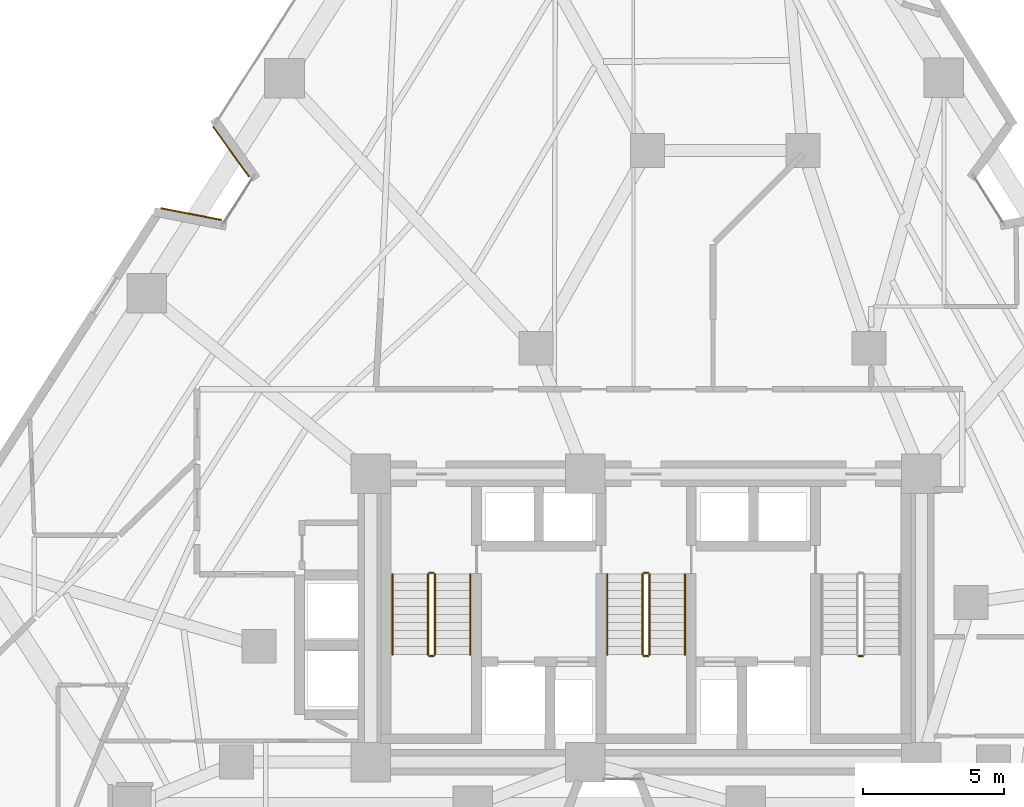
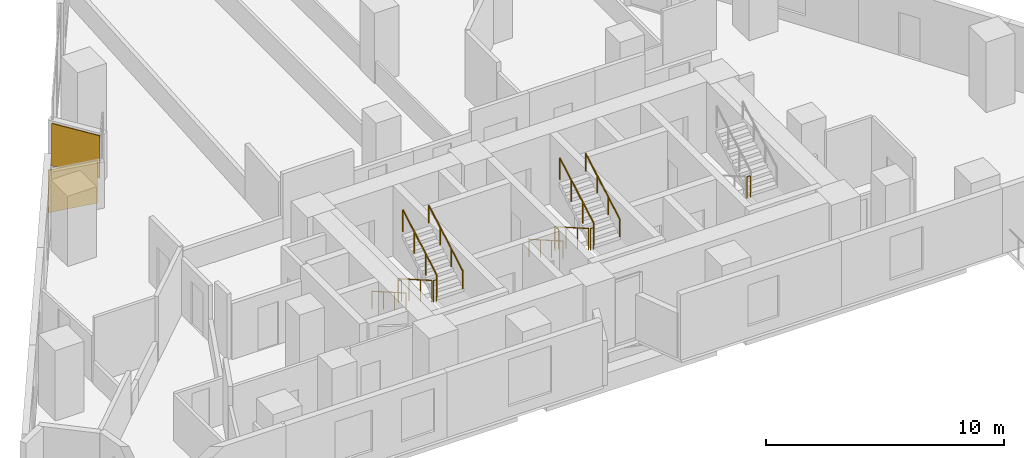
# One storey, part 10 of 12: 13 railings, 2 coverings.
"""IFC4 building model written with IfcOpenShell, lengths in metres."""

from ifc_helpers import new_model, si_unit, direction, frame, origin, origin_2d, place, context, subcontext, project, spatial, rectangle, circle, extrude, material, layer, layer_set, type_object, element, save


model = new_model("IFC4")

# Units and contexts
model_context = context("Model", 3, precision=1e-05, world=origin(), true_north=direction((0.0, 1.0)))
body_context = subcontext(model_context, "Body", "Model", "MODEL_VIEW")
ifc_project = project(units=[si_unit("LENGTHUNIT", "METRE"), si_unit("AREAUNIT", "SQUARE_METRE"), si_unit("VOLUMEUNIT", "CUBIC_METRE"), si_unit("PLANEANGLEUNIT", "RADIAN"), si_unit("MASSUNIT", "GRAM", prefix="KILO")], contexts=[model_context])

# Site, building, storey
site_placement = place(None, origin())
site = spatial("IfcSite", under=ifc_project, at=site_placement, CompositionType="ELEMENT")
building_placement = place(site_placement, origin())
building = spatial("IfcBuilding", under=site, at=building_placement, Name="Almagre Mirador Tower", CompositionType="ELEMENT")
storey_placement = place(building_placement, frame((0.0, 0.0, 71.39990234375)))
storey = spatial("IfcBuildingStorey", under=building, at=storey_placement, Name="L17", CompositionType="ELEMENT", Elevation=71.39990234375)

# Coverings
ifc_material_1 = material(Name="Almagre terracotta architectural cladding", Category="masonry")
ifc_layer = layer(ifc_material_1, 0.044921875)
ifc_layer_set = layer_set([ifc_layer], Name="Almagre terracotta architectural cladding")
covering_type = type_object("IfcCoveringType", Name="COV-CLAD-ALMAGRE", PredefinedType="CLADDING", material=ifc_layer_set)
covering_1_placement = place(storey_placement, frame((21.193359375, 23.949462890625, 0.10009765625), z_axis=(0.0, 0.0, 1.0), x_axis=(0.981746878502, -0.190192183203, 0.0)))
element("IfcCovering", 1, at=covering_1_placement, inside=storey, type_object=covering_type, Name="L17 almagre terracotta pier cladding", PredefinedType="CLADDING", context=body_context, shape_type="SweptSolid", body=[
    extrude(rectangle(XDim=2.193115234375, YDim=0.044921875, at=origin_2d()), origin(), (0.0, 0.0, 1.0), 2.175048828125),
])
covering_2_placement = place(storey_placement, frame((22.609375, 26.159423828125, 0.10009765625), z_axis=(0.0, 0.0, 1.0), x_axis=(-0.583002488864, 0.812470367446, 0.0)))
element("IfcCovering", 2, at=covering_2_placement, inside=storey, type_object=covering_type, Name="L17 almagre terracotta pier cladding", PredefinedType="CLADDING", context=body_context, shape_type="SweptSolid", body=[
    extrude(rectangle(XDim=2.194091796875, YDim=0.044921875, at=origin_2d()), origin(), (0.0, 0.0, 1.0), 2.175048828125),
])

# Railings
ifc_material_2 = material(Name="Painted galvanized steel", Category="steel")
railing_type_1 = type_object("IfcRailingType", Name="RLG-GRD-1100", PredefinedType="GUARDRAIL", material=ifc_material_2)
railing_1_placement = place(storey_placement, frame((29.574951171875, 11.199951171875, 0.163818359375)))
element("IfcRailing", 3, at=railing_1_placement, inside=storey, type_object=railing_type_1, Name="L17 ST-1 stair guard 1", PredefinedType="GUARDRAIL", context=body_context, shape_type="SweptSolid", body=[
    extrude(circle(Radius=0.02392578125, at=origin_2d()), frame((0.0, 0.0, 1.09619140625), z_axis=(0.0, -0.867226363773, 0.497914082927), x_axis=(1.0, 0.0, 0.0)), (0.0, 0.0, 1.0), 3.2861328125),
    extrude(circle(Radius=0.02099609375, at=origin_2d()), origin(), (0.0, 0.0, 1.0), 1.072021484375),
    extrude(circle(Radius=0.02099609375, at=origin_2d()), frame((0.0, -0.949951171875, 0.54541015625)), (0.0, 0.0, 1.0), 1.072021484375),
    extrude(circle(Radius=0.02099609375, at=origin_2d()), frame((0.0, -1.89990234375, 1.0908203125)), (0.0, 0.0, 1.0), 1.072021484375),
    extrude(circle(Radius=0.02099609375, at=origin_2d()), frame((0.0, -2.849853515625, 1.63623046875)), (0.0, 0.0, 1.0), 1.072021484375),
])
railing_2_placement = place(storey_placement, frame((29.625, 8.300048828125, 1.800048828125)))
element("IfcRailing", 4, at=railing_2_placement, inside=storey, type_object=railing_type_1, Name="L17 ST-1 stair guard 2", PredefinedType="GUARDRAIL", context=body_context, shape_type="SweptSolid", body=[
    extrude(circle(Radius=0.02392578125, at=origin_2d()), frame((0.0, 0.0, 1.09619140625), z_axis=(1.0, 0.0, 0.0), x_axis=(0.0, 1.0, 0.0)), (0.0, 0.0, 1.0), 0.14990234375),
    extrude(circle(Radius=0.02099609375, at=origin_2d()), origin(), (0.0, 0.0, 1.0), 1.072021484375),
    extrude(circle(Radius=0.02099609375, at=origin_2d()), frame((0.14990234375, 0.0, 0.0)), (0.0, 0.0, 1.0), 1.072021484375),
])
railing_3_placement = place(storey_placement, frame((29.824951171875, 8.35009765625, 1.963623046875)))
element("IfcRailing", 5, at=railing_3_placement, inside=storey, type_object=railing_type_1, Name="L17 ST-1 stair guard 3", PredefinedType="GUARDRAIL", context=body_context, shape_type="SweptSolid", body=[
    extrude(circle(Radius=0.02392578125, at=origin_2d()), frame((0.0, 0.0, 1.09619140625), z_axis=(0.0, 0.867194282975, 0.497969954491), x_axis=(-1.0, 0.0, 0.0)), (0.0, 0.0, 1.0), 3.286376953125),
    extrude(circle(Radius=0.02099609375, at=origin_2d()), origin(), (0.0, 0.0, 1.0), 1.072021484375),
    extrude(circle(Radius=0.02099609375, at=origin_2d()), frame((0.0, 0.949951171875, 0.54541015625)), (0.0, 0.0, 1.0), 1.072021484375),
    extrude(circle(Radius=0.02099609375, at=origin_2d()), frame((0.0, 1.89990234375, 1.091064453125)), (0.0, 0.0, 1.0), 1.072021484375),
    extrude(circle(Radius=0.02099609375, at=origin_2d()), frame((0.0, 2.849853515625, 1.636474609375)), (0.0, 0.0, 1.0), 1.072021484375),
])
railing_4_placement = place(storey_placement, frame((29.625, 11.25, 0.0)))
element("IfcRailing", 6, at=railing_4_placement, inside=storey, type_object=railing_type_1, Name="L17 ST-1 stair guard 4", PredefinedType="GUARDRAIL", context=body_context, shape_type="SweptSolid", body=[
    extrude(circle(Radius=0.02392578125, at=origin_2d()), frame((0.0, 0.0, 1.09619140625), z_axis=(1.0, 0.0, 0.0), x_axis=(0.0, 1.0, 0.0)), (0.0, 0.0, 1.0), 0.14990234375),
    extrude(circle(Radius=0.02099609375, at=origin_2d()), origin(), (0.0, 0.0, 1.0), 1.072021484375),
    extrude(circle(Radius=0.02099609375, at=origin_2d()), frame((0.14990234375, 0.0, 0.0)), (0.0, 0.0, 1.0), 1.072021484375),
])
railing_5_placement = place(storey_placement, frame((37.175048828125, 11.199951171875, 0.163818359375)))
element("IfcRailing", 7, at=railing_5_placement, inside=storey, type_object=railing_type_1, Name="L17 ST-2 stair guard 1", PredefinedType="GUARDRAIL", context=body_context, shape_type="SweptSolid", body=[
    extrude(circle(Radius=0.02392578125, at=origin_2d()), frame((0.0, 0.0, 1.09619140625), z_axis=(0.0, -0.867226363773, 0.497914082927), x_axis=(1.0, 0.0, 0.0)), (0.0, 0.0, 1.0), 3.2861328125),
    extrude(circle(Radius=0.02099609375, at=origin_2d()), origin(), (0.0, 0.0, 1.0), 1.072021484375),
    extrude(circle(Radius=0.02099609375, at=origin_2d()), frame((0.0, -0.949951171875, 0.54541015625)), (0.0, 0.0, 1.0), 1.072021484375),
    extrude(circle(Radius=0.02099609375, at=origin_2d()), frame((0.0, -1.89990234375, 1.0908203125)), (0.0, 0.0, 1.0), 1.072021484375),
    extrude(circle(Radius=0.02099609375, at=origin_2d()), frame((0.0, -2.849853515625, 1.63623046875)), (0.0, 0.0, 1.0), 1.072021484375),
])
railing_6_placement = place(storey_placement, frame((37.22509765625, 8.300048828125, 1.800048828125)))
element("IfcRailing", 8, at=railing_6_placement, inside=storey, type_object=railing_type_1, Name="L17 ST-2 stair guard 2", PredefinedType="GUARDRAIL", context=body_context, shape_type="SweptSolid", body=[
    extrude(circle(Radius=0.02392578125, at=origin_2d()), frame((0.0, 0.0, 1.09619140625), z_axis=(1.0, 0.0, 0.0), x_axis=(0.0, 1.0, 0.0)), (0.0, 0.0, 1.0), 0.14990234375),
    extrude(circle(Radius=0.02099609375, at=origin_2d()), origin(), (0.0, 0.0, 1.0), 1.072021484375),
    extrude(circle(Radius=0.02099609375, at=origin_2d()), frame((0.14990234375, 0.0, 0.0)), (0.0, 0.0, 1.0), 1.072021484375),
])
railing_7_placement = place(storey_placement, frame((37.425048828125, 8.35009765625, 1.963623046875)))
element("IfcRailing", 9, at=railing_7_placement, inside=storey, type_object=railing_type_1, Name="L17 ST-2 stair guard 3", PredefinedType="GUARDRAIL", context=body_context, shape_type="SweptSolid", body=[
    extrude(circle(Radius=0.02392578125, at=origin_2d()), frame((0.0, 0.0, 1.09619140625), z_axis=(0.0, 0.867194282975, 0.497969954491), x_axis=(-1.0, 0.0, 0.0)), (0.0, 0.0, 1.0), 3.286376953125),
    extrude(circle(Radius=0.02099609375, at=origin_2d()), origin(), (0.0, 0.0, 1.0), 1.072021484375),
    extrude(circle(Radius=0.02099609375, at=origin_2d()), frame((0.0, 0.949951171875, 0.54541015625)), (0.0, 0.0, 1.0), 1.072021484375),
    extrude(circle(Radius=0.02099609375, at=origin_2d()), frame((0.0, 1.89990234375, 1.091064453125)), (0.0, 0.0, 1.0), 1.072021484375),
    extrude(circle(Radius=0.02099609375, at=origin_2d()), frame((0.0, 2.849853515625, 1.636474609375)), (0.0, 0.0, 1.0), 1.072021484375),
])
railing_8_placement = place(storey_placement, frame((37.22509765625, 11.25, 0.0)))
element("IfcRailing", 10, at=railing_8_placement, inside=storey, type_object=railing_type_1, Name="L17 ST-2 stair guard 4", PredefinedType="GUARDRAIL", context=body_context, shape_type="SweptSolid", body=[
    extrude(circle(Radius=0.02392578125, at=origin_2d()), frame((0.0, 0.0, 1.09619140625), z_axis=(1.0, 0.0, 0.0), x_axis=(0.0, 1.0, 0.0)), (0.0, 0.0, 1.0), 0.14990234375),
    extrude(circle(Radius=0.02099609375, at=origin_2d()), origin(), (0.0, 0.0, 1.0), 1.072021484375),
    extrude(circle(Radius=0.02099609375, at=origin_2d()), frame((0.14990234375, 0.0, 0.0)), (0.0, 0.0, 1.0), 1.072021484375),
])
railing_9_placement = place(storey_placement, frame((44.824951171875, 8.300048828125, 1.800048828125)))
element("IfcRailing", 11, at=railing_9_placement, inside=storey, type_object=railing_type_1, Name="L17 ST-3 stair guard 2", PredefinedType="GUARDRAIL", context=body_context, shape_type="SweptSolid", body=[
    extrude(circle(Radius=0.02392578125, at=origin_2d()), frame((0.0, 0.0, 1.09619140625), z_axis=(1.0, 0.0, 0.0), x_axis=(0.0, 1.0, 0.0)), (0.0, 0.0, 1.0), 0.150146484375),
    extrude(circle(Radius=0.02099609375, at=origin_2d()), origin(), (0.0, 0.0, 1.0), 1.072021484375),
    extrude(circle(Radius=0.02099609375, at=origin_2d()), frame((0.150146484375, 0.0, 0.0)), (0.0, 0.0, 1.0), 1.072021484375),
])
ifc_material_3 = material(Name="Brushed stainless steel", Category="steel")
railing_type_2 = type_object("IfcRailingType", Name="RLG-HND-915", PredefinedType="HANDRAIL", material=ifc_material_3)
railing_10_placement = place(storey_placement, frame((28.324951171875, 11.199951171875, 0.163818359375)))
element("IfcRailing", 12, at=railing_10_placement, inside=storey, type_object=railing_type_2, Name="L17 ST-1 stair handrail 1", PredefinedType="HANDRAIL", context=body_context, shape_type="SweptSolid", body=[
    extrude(circle(Radius=0.02392578125, at=origin_2d()), frame((0.0, 0.0, 0.89111328125), z_axis=(0.0, -0.867226363773, 0.497914082927), x_axis=(1.0, 0.0, 0.0)), (0.0, 0.0, 1.0), 3.2861328125),
    extrude(circle(Radius=0.02099609375, at=origin_2d()), origin(), (0.0, 0.0, 1.0), 0.866943359375),
    extrude(circle(Radius=0.02099609375, at=origin_2d()), frame((0.0, -0.949951171875, 0.54541015625)), (0.0, 0.0, 1.0), 0.866943359375),
    extrude(circle(Radius=0.02099609375, at=origin_2d()), frame((0.0, -1.89990234375, 1.0908203125)), (0.0, 0.0, 1.0), 0.866943359375),
    extrude(circle(Radius=0.02099609375, at=origin_2d()), frame((0.0, -2.849853515625, 1.63623046875)), (0.0, 0.0, 1.0), 0.866943359375),
])
railing_11_placement = place(storey_placement, frame((31.074951171875, 8.35009765625, 1.963623046875)))
element("IfcRailing", 13, at=railing_11_placement, inside=storey, type_object=railing_type_2, Name="L17 ST-1 stair handrail 2", PredefinedType="HANDRAIL", context=body_context, shape_type="SweptSolid", body=[
    extrude(circle(Radius=0.02392578125, at=origin_2d()), frame((0.0, 0.0, 0.89111328125), z_axis=(0.0, 0.867194282975, 0.497969954491), x_axis=(-1.0, 0.0, 0.0)), (0.0, 0.0, 1.0), 3.286376953125),
    extrude(circle(Radius=0.02099609375, at=origin_2d()), origin(), (0.0, 0.0, 1.0), 0.866943359375),
    extrude(circle(Radius=0.02099609375, at=origin_2d()), frame((0.0, 0.949951171875, 0.54541015625)), (0.0, 0.0, 1.0), 0.866943359375),
    extrude(circle(Radius=0.02099609375, at=origin_2d()), frame((0.0, 1.89990234375, 1.091064453125)), (0.0, 0.0, 1.0), 0.866943359375),
    extrude(circle(Radius=0.02099609375, at=origin_2d()), frame((0.0, 2.849853515625, 1.636474609375)), (0.0, 0.0, 1.0), 0.866943359375),
])
railing_12_placement = place(storey_placement, frame((35.925048828125, 11.199951171875, 0.163818359375)))
element("IfcRailing", 14, at=railing_12_placement, inside=storey, type_object=railing_type_2, Name="L17 ST-2 stair handrail 1", PredefinedType="HANDRAIL", context=body_context, shape_type="SweptSolid", body=[
    extrude(circle(Radius=0.02392578125, at=origin_2d()), frame((0.0, 0.0, 0.89111328125), z_axis=(0.0, -0.867226363773, 0.497914082927), x_axis=(1.0, 0.0, 0.0)), (0.0, 0.0, 1.0), 3.2861328125),
    extrude(circle(Radius=0.02099609375, at=origin_2d()), origin(), (0.0, 0.0, 1.0), 0.866943359375),
    extrude(circle(Radius=0.02099609375, at=origin_2d()), frame((0.0, -0.949951171875, 0.54541015625)), (0.0, 0.0, 1.0), 0.866943359375),
    extrude(circle(Radius=0.02099609375, at=origin_2d()), frame((0.0, -1.89990234375, 1.0908203125)), (0.0, 0.0, 1.0), 0.866943359375),
    extrude(circle(Radius=0.02099609375, at=origin_2d()), frame((0.0, -2.849853515625, 1.63623046875)), (0.0, 0.0, 1.0), 0.866943359375),
])
railing_13_placement = place(storey_placement, frame((38.675048828125, 8.35009765625, 1.963623046875)))
element("IfcRailing", 15, at=railing_13_placement, inside=storey, type_object=railing_type_2, Name="L17 ST-2 stair handrail 2", PredefinedType="HANDRAIL", context=body_context, shape_type="SweptSolid", body=[
    extrude(circle(Radius=0.02392578125, at=origin_2d()), frame((0.0, 0.0, 0.89111328125), z_axis=(0.0, 0.867194282975, 0.497969954491), x_axis=(-1.0, 0.0, 0.0)), (0.0, 0.0, 1.0), 3.286376953125),
    extrude(circle(Radius=0.02099609375, at=origin_2d()), origin(), (0.0, 0.0, 1.0), 0.866943359375),
    extrude(circle(Radius=0.02099609375, at=origin_2d()), frame((0.0, 0.949951171875, 0.54541015625)), (0.0, 0.0, 1.0), 0.866943359375),
    extrude(circle(Radius=0.02099609375, at=origin_2d()), frame((0.0, 1.89990234375, 1.091064453125)), (0.0, 0.0, 1.0), 0.866943359375),
    extrude(circle(Radius=0.02099609375, at=origin_2d()), frame((0.0, 2.849853515625, 1.636474609375)), (0.0, 0.0, 1.0), 0.866943359375),
])

save(model, "model.ifc")
